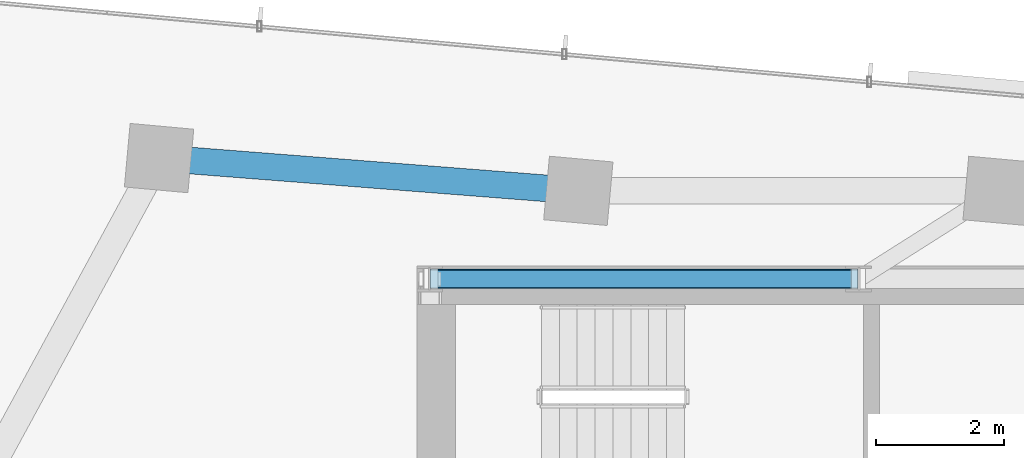
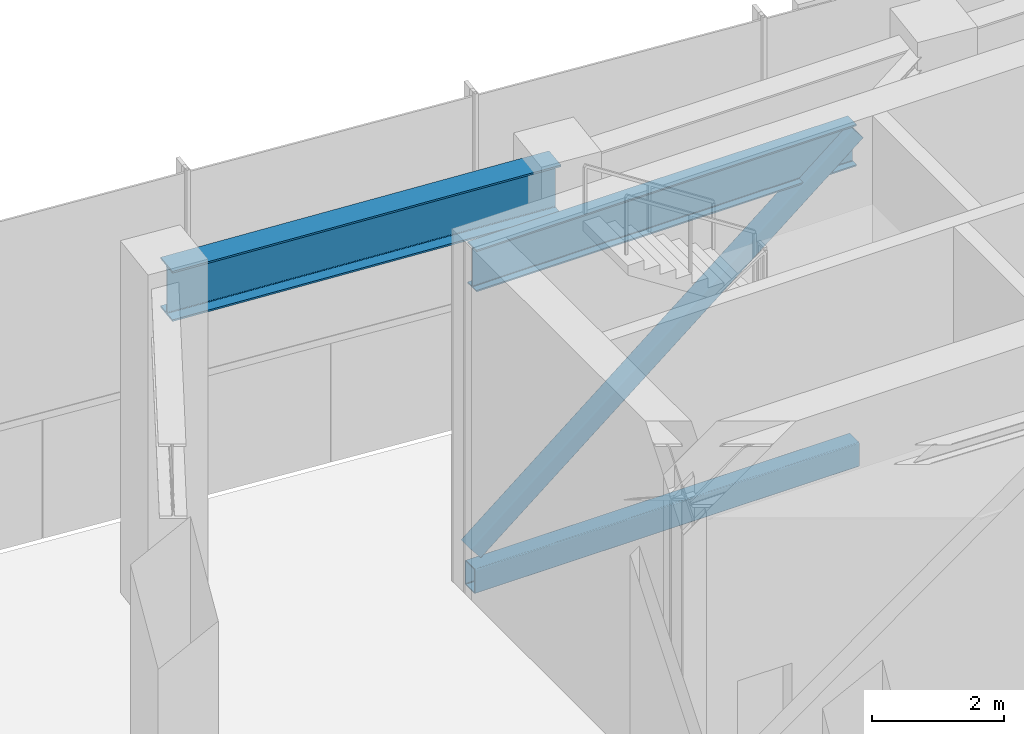
# One storey, part 5 of 18: 2 beams, 2 members.
"""IFC4 building model written with IfcOpenShell, lengths in metres."""

from ifc_helpers import new_model, si_unit, direction, frame, origin, origin_2d, place, context, subcontext, project, spatial, hollow_rectangle, i_section, extrude, source, transform, mapped, material, material_profile, profile_set, type_object, type_shapes, element, save


model = new_model("IFC4")

# Units and contexts
model_context = context("Model", 3, precision=1e-05, world=origin(), true_north=direction((0.0, 1.0)))
body_context = subcontext(model_context, "Body", "Model", "MODEL_VIEW")
ifc_project = project(units=[si_unit("LENGTHUNIT", "METRE"), si_unit("AREAUNIT", "SQUARE_METRE"), si_unit("VOLUMEUNIT", "CUBIC_METRE"), si_unit("PLANEANGLEUNIT", "RADIAN"), si_unit("MASSUNIT", "GRAM", prefix="KILO")], contexts=[model_context])

# Site, building, storey
site_placement = place(None, origin())
site = spatial("IfcSite", under=ifc_project, at=site_placement, CompositionType="ELEMENT")
building_placement = place(site_placement, origin())
building = spatial("IfcBuilding", under=site, at=building_placement, Name="Astriad Promenade Condominiums", CompositionType="ELEMENT")
storey_placement = place(building_placement, frame((0.0, 0.0, 277.300048828125)))
storey = spatial("IfcBuildingStorey", under=building, at=storey_placement, Name="L78", CompositionType="ELEMENT", Elevation=277.300048828125)

# Beams
ifc_material_1 = material(Name="Steel ASTM A992 Grade 50", Category="steel")
ifc_material_profile_1 = material_profile(ifc_material_1, i_section(OverallWidth=0.267822265625, OverallDepth=0.76953125, WebThickness=0.015625, FlangeThickness=0.025390625, FilletRadius=0.021484375, at=origin_2d()), Name="W30X132")
ifc_profile_set_1 = profile_set([ifc_material_profile_1], Name="Steel ASTM A992 Grade 50")
beam_type_1 = type_object("IfcBeamType", Name="STEEL FLOOR GIRDER W30X132", PredefinedType="BEAM", material=ifc_profile_set_1)
shared_shape_1 = source(origin(), body_context, "Body", "SweptSolid", [
    extrude(i_section(OverallWidth=0.267822265625, OverallDepth=0.76953125, WebThickness=0.015625, FlangeThickness=0.025390625, FilletRadius=0.021484375, at=origin_2d()), origin(), (0.0, 0.0, 1.0), 6.64013671875),
])
type_shapes(beam_type_1, [shared_shape_1])
beam_1_placement = place(storey_placement, frame((26.43994140625, 24.0, 5.835205078125), z_axis=(1.0, 0.0, 0.0), x_axis=(0.0, 1.0, 0.0)))
element("IfcBeam", 1, at=beam_1_placement, inside=storey, type_object=beam_type_1, Name="Core Ring Beam CG-N1-L78", PredefinedType="BEAM", context=body_context, shape_type="MappedRepresentation", body=[
    mapped(shared_shape_1, transform((0.0, 0.0, 0.0), scale=1.0)),
])
ifc_material_profile_2 = material_profile(ifc_material_1, i_section(OverallWidth=0.418212890625, OverallDepth=0.926513671875, WebThickness=0.019287109375, FlangeThickness=0.031982421875, FilletRadius=0.024169921875, at=origin_2d()), Name="W36X231")
ifc_profile_set_2 = profile_set([ifc_material_profile_2], Name="Steel ASTM A992 Grade 50")
beam_type_2 = type_object("IfcBeamType", Name="STEEL CROWN RING BEAM W36X231", PredefinedType="BEAM", material=ifc_profile_set_2)
shared_shape_2 = source(origin(), body_context, "Body", "SweptSolid", [
    extrude(i_section(OverallWidth=0.418212890625, OverallDepth=0.926513671875, WebThickness=0.019287109375, FlangeThickness=0.031982421875, FilletRadius=0.024169921875, at=origin_2d()), origin(), (0.0, 0.0, 1.0), 6.5126953125),
])
type_shapes(beam_type_2, [shared_shape_2])
beam_2_placement = place(storey_placement, frame((28.6875, 25.383056640625, 5.756591796875), z_axis=(-0.996961368095, 0.077897564313, 0.0), x_axis=(-0.077897564313, -0.996961368095, 0.0)))
element("IfcBeam", 2, at=beam_2_placement, inside=storey, type_object=beam_type_2, Name="Perimeter Spandrel Beam SP-N1-L78", PredefinedType="BEAM", context=body_context, shape_type="MappedRepresentation", body=[
    mapped(shared_shape_2, transform((0.0, 0.0, 0.0), scale=1.0)),
])

# Members
ifc_material_2 = material(Name="Steel ASTM A500 Grade C", Category="steel")
ifc_material_profile_3 = material_profile(ifc_material_2, hollow_rectangle(XDim=0.3046875, YDim=0.457275390625, WallThickness=0.014892578125, InnerFilletRadius=0.014892578125, OuterFilletRadius=0.029541015625, at=origin_2d()), Name="HSS457X305X15.9")
ifc_profile_set_3 = profile_set([ifc_material_profile_3], Name="Steel ASTM A500 Grade C")
member_type_1 = type_object("IfcMemberType", Name="HSS LANTERN RING CHORD 457X305", PredefinedType="CHORD", material=ifc_profile_set_3)
shared_shape_3 = source(origin(), body_context, "Body", "SweptSolid", [
    extrude(hollow_rectangle(XDim=0.3046875, YDim=0.457275390625, WallThickness=0.014892578125, InnerFilletRadius=0.014892578125, OuterFilletRadius=0.029541015625, at=origin_2d()), origin(), (0.0, 0.0, 1.0), 6.7099609375),
])
type_shapes(member_type_1, [shared_shape_3])
member_1_placement = place(storey_placement, frame((26.405029296875, 24.0, 0.119873046875), z_axis=(1.0, 0.0, 0.0), x_axis=(0.0, 1.0, 0.0)))
element("IfcMember", 3, at=member_1_placement, inside=storey, type_object=member_type_1, Name="Crown Ring Interior Chord HCHORD-L78-01", PredefinedType="CHORD", context=body_context, shape_type="MappedRepresentation", body=[
    mapped(shared_shape_3, transform((0.0, 0.0, 0.0), scale=1.0)),
])
ifc_material_profile_4 = material_profile(ifc_material_2, hollow_rectangle(XDim=0.3046875, YDim=0.3046875, WallThickness=0.014892578125, InnerFilletRadius=0.014892578125, OuterFilletRadius=0.029541015625, at=origin_2d()), Name="HSS305X305X15.9")
ifc_profile_set_4 = profile_set([ifc_material_profile_4], Name="Steel ASTM A500 Grade C")
member_type_2 = type_object("IfcMemberType", Name="HSS SECONDARY DIAGONAL BRACE 305X305", PredefinedType="BRACE", material=ifc_profile_set_4)
shared_shape_4 = source(origin(), body_context, "Body", "SweptSolid", [
    extrude(hollow_rectangle(XDim=0.3046875, YDim=0.3046875, WallThickness=0.014892578125, InnerFilletRadius=0.014892578125, OuterFilletRadius=0.029541015625, at=origin_2d()), origin(), (0.0, 0.0, 1.0), 8.602294921875),
])
type_shapes(member_type_2, [shared_shape_4])
member_2_placement = place(storey_placement, frame((26.41943359375, 24.0, 0.6357421875), z_axis=(0.776681444214, 0.0, 0.629893589596), x_axis=(0.0, 1.0, 0.0)))
element("IfcMember", 4, at=member_2_placement, inside=storey, type_object=member_type_2, Name="Crown Ring Interior Brace HBRACE-L78-01", PredefinedType="BRACE", context=body_context, shape_type="MappedRepresentation", body=[
    mapped(shared_shape_4, transform((0.0, 0.0, 0.0), scale=1.0)),
])

save(model, "model.ifc")
